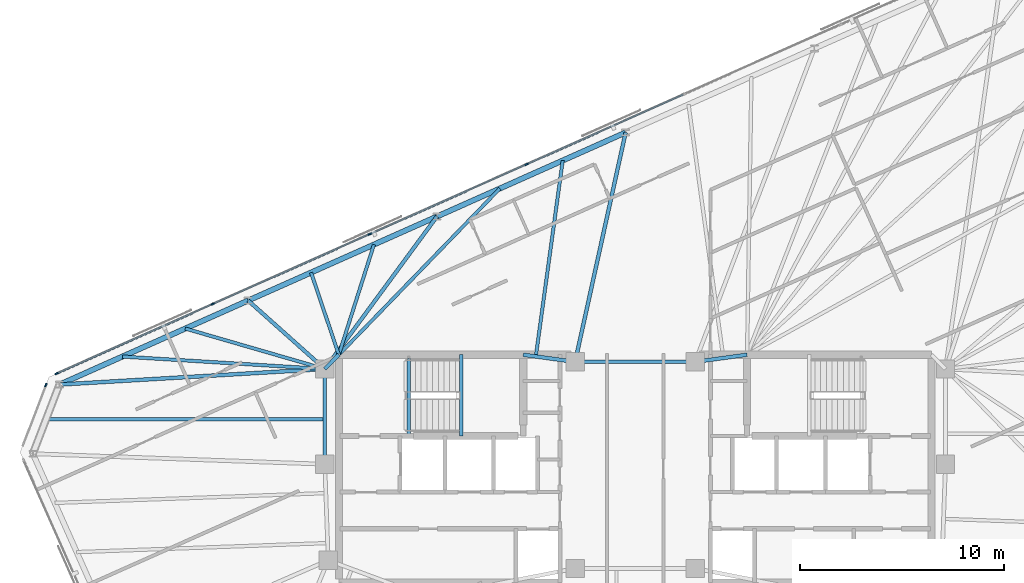
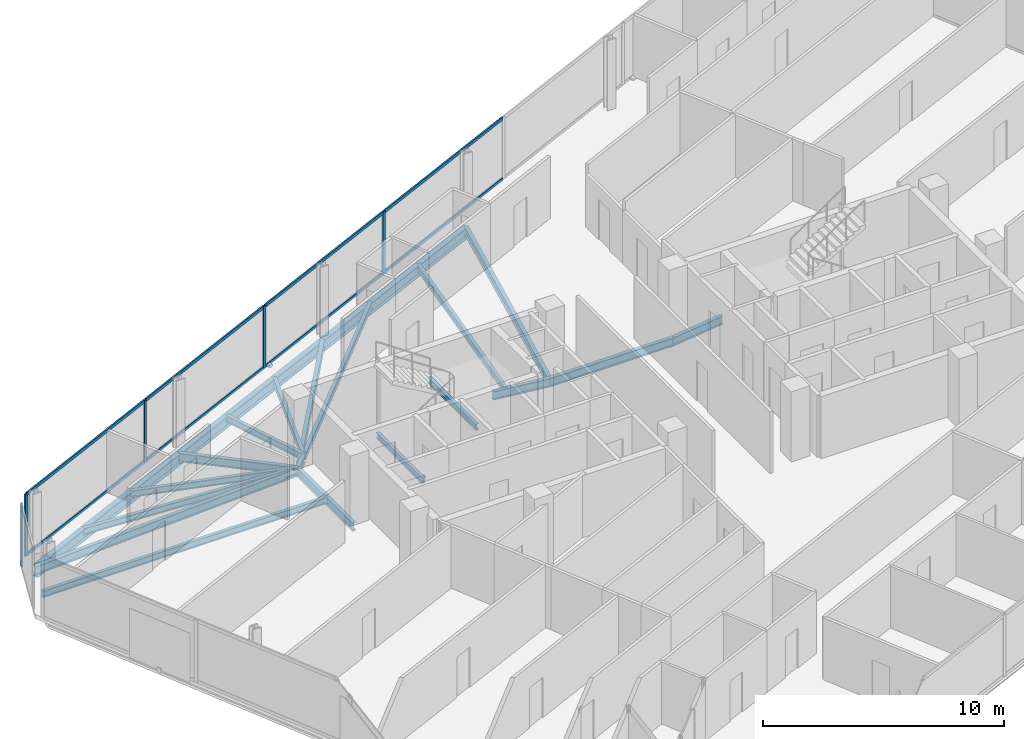
# One storey, part 9 of 19: 21 beams, 13 members, 2 elements without a shape of their own.
"""IFC4 building model written with IfcOpenShell, lengths in metres."""

from ifc_helpers import new_model, si_unit, direction, frame, origin, origin_2d, place, context, subcontext, project, spatial, rectangle, i_section, extrude, material, material_profile, profile_set, type_object, element, aggregate, save


model = new_model("IFC4")

# Units and contexts
model_context = context("Model", 3, precision=1e-05, world=origin(), true_north=direction((0.0, 1.0)))
body_context = subcontext(model_context, "Body", "Model", "MODEL_VIEW")
ifc_project = project(units=[si_unit("LENGTHUNIT", "METRE"), si_unit("AREAUNIT", "SQUARE_METRE"), si_unit("VOLUMEUNIT", "CUBIC_METRE"), si_unit("PLANEANGLEUNIT", "RADIAN"), si_unit("MASSUNIT", "GRAM", prefix="KILO")], contexts=[model_context])

# Site, building, storey
site_placement = place(None, origin())
site = spatial("IfcSite", under=ifc_project, at=site_placement, CompositionType="ELEMENT")
building_placement = place(site_placement, origin())
building = spatial("IfcBuilding", under=site, at=building_placement, Name="Menara Jurai Vektor", CompositionType="ELEMENT")
storey_placement = place(building_placement, frame((0.0, 0.0, 302.0)))
storey = spatial("IfcBuildingStorey", under=building, at=storey_placement, Name="L81", CompositionType="ELEMENT", Elevation=302.0)

# Curtain wall, members
ifc_material_1 = material(Name="Anodised Pale Aluminium & Low-E Double Glazing", Category="aluminium")
curtain_wall_type = type_object("IfcCurtainWallType", Name="CW-BLK5", PredefinedType="NOTDEFINED", material=ifc_material_1)
curtain_wall_1_placement = place(storey_placement, origin())
curtain_wall_1 = element("IfcCurtainWall", 1, at=curtain_wall_1_placement, inside=storey, type_object=curtain_wall_type, Name="Unitised Curtain Wall L81 F05", PredefinedType="NOTDEFINED")
ifc_material_2 = material(Name="Anodised Pale Aluminium Mullion", Category="aluminium")
ifc_material_profile_1 = material_profile(ifc_material_2, rectangle(XDim=0.074951171875, YDim=0.175048828125, at=origin_2d()), Name="ALU MUL 75x175")
ifc_profile_set_1 = profile_set([ifc_material_profile_1], Name="Anodised Pale Aluminium Mullion")
member_type_1 = type_object("IfcMemberType", Name="CW-BLK5-MUL", PredefinedType="MULLION", material=ifc_profile_set_1)
member_1_placement = place(storey_placement, frame((-5.327880859375, 14.957275390625, 0.0), z_axis=(0.0, 0.0, 1.0), x_axis=(0.406735498684, -0.913545967158, 0.0)))
member_1 = element("IfcMember", 2, at=member_1_placement, type_object=member_type_1, Name="CW-05 mullion 4", PredefinedType="MULLION", context=body_context, shape_type="SweptSolid", body=[
    extrude(rectangle(XDim=0.074951171875, YDim=0.175048828125, at=origin_2d()), origin(), (0.0, 0.0, 1.0), 3.14501953125),
])
member_2_placement = place(storey_placement, frame((-13.038330078125, 11.5244140625, 0.0), z_axis=(0.0, 0.0, 1.0), x_axis=(0.406735498684, -0.913545967158, 0.0)))
member_2 = element("IfcMember", 3, at=member_2_placement, type_object=member_type_1, Name="CW-05 mullion 5", PredefinedType="MULLION", context=body_context, shape_type="SweptSolid", body=[
    extrude(rectangle(XDim=0.074951171875, YDim=0.175048828125, at=origin_2d()), origin(), (0.0, 0.0, 1.0), 3.14501953125),
])
member_3_placement = place(storey_placement, frame((-20.748779296875, 8.091552734375, 0.0), z_axis=(0.0, 0.0, 1.0), x_axis=(0.406735498684, -0.913545967158, 0.0)))
member_3 = element("IfcMember", 4, at=member_3_placement, type_object=member_type_1, Name="CW-05 mullion 6", PredefinedType="MULLION", context=body_context, shape_type="SweptSolid", body=[
    extrude(rectangle(XDim=0.074951171875, YDim=0.175048828125, at=origin_2d()), origin(), (0.0, 0.0, 1.0), 3.14501953125),
])
member_4_placement = place(storey_placement, frame((-28.4248046875, 4.674072265625, 0.0), z_axis=(0.0, 0.0, 1.0), x_axis=(0.406735498684, -0.913545967158, 0.0)))
member_4 = element("IfcMember", 5, at=member_4_placement, type_object=member_type_1, Name="CW-05 mullion 7", PredefinedType="MULLION", context=body_context, shape_type="SweptSolid", body=[
    extrude(rectangle(XDim=0.074951171875, YDim=0.175048828125, at=origin_2d()), origin(), (0.0, 0.0, 1.0), 3.14501953125),
])

# Curtain wall, member
curtain_wall_2_placement = place(storey_placement, origin())
curtain_wall_2 = element("IfcCurtainWall", 6, at=curtain_wall_2_placement, inside=storey, type_object=curtain_wall_type, Name="Unitised Curtain Wall L81 F06", PredefinedType="NOTDEFINED")
member_5_placement = place(storey_placement, frame((-28.955810546875, 4.114501953125, 0.0), z_axis=(0.0, 0.0, 1.0), x_axis=(0.933578193639, -0.358373766287, 0.0)))
member_5 = element("IfcMember", 7, at=member_5_placement, type_object=member_type_1, Name="CW-05 mullion 1", PredefinedType="MULLION", context=body_context, shape_type="SweptSolid", body=[
    extrude(rectangle(XDim=0.074951171875, YDim=0.175048828125, at=origin_2d()), origin(), (0.0, 0.0, 1.0), 3.14501953125),
])
aggregate(curtain_wall_2, [member_5])

# Member
ifc_material_3 = material(Name="Anodised Pale Aluminium Transom", Category="aluminium")
ifc_material_profile_2 = material_profile(ifc_material_3, rectangle(XDim=0.074951171875, YDim=0.155029296875, at=origin_2d()), Name="ALU TRN 75x155")
ifc_profile_set_2 = profile_set([ifc_material_profile_2], Name="Anodised Pale Aluminium Transom")
member_type_2 = type_object("IfcMemberType", Name="CW-BLK5-TRN", PredefinedType="USERDEFINED", material=ifc_profile_set_2)
member_6_placement = place(storey_placement, frame((2.34814453125, 18.375, 0.03759765625), z_axis=(-0.913546575494, -0.406734132331, 0.0), x_axis=(0.406734132331, -0.913546575494, 0.0)))
member_6 = element("IfcMember", 8, at=member_6_placement, type_object=member_type_2, Name="CW-05 transom 3.1", ObjectType="TRANSOM", PredefinedType="USERDEFINED", context=body_context, shape_type="SweptSolid", body=[
    extrude(rectangle(XDim=0.074951171875, YDim=0.155029296875, at=origin_2d()), origin(), (0.0, 0.0, 1.0), 8.364990234375),
])

member_7_placement = place(storey_placement, frame((2.34814453125, 18.375, 3.107421875), z_axis=(-0.913546575494, -0.406734132331, 0.0), x_axis=(0.406734132331, -0.913546575494, 0.0)))
member_7 = element("IfcMember", 9, at=member_7_placement, type_object=member_type_2, Name="CW-05 transom 3.2", ObjectType="TRANSOM", PredefinedType="USERDEFINED", context=body_context, shape_type="SweptSolid", body=[
    extrude(rectangle(XDim=0.074951171875, YDim=0.155029296875, at=origin_2d()), origin(), (0.0, 0.0, 1.0), 8.364990234375),
])

member_8_placement = place(storey_placement, frame((-5.3623046875, 14.942138671875, 0.03759765625), z_axis=(-0.913546575494, -0.406734132331, 0.0), x_axis=(0.406734132331, -0.913546575494, 0.0)))
member_8 = element("IfcMember", 10, at=member_8_placement, type_object=member_type_2, Name="CW-05 transom 4.1", ObjectType="TRANSOM", PredefinedType="USERDEFINED", context=body_context, shape_type="SweptSolid", body=[
    extrude(rectangle(XDim=0.074951171875, YDim=0.155029296875, at=origin_2d()), origin(), (0.0, 0.0, 1.0), 8.364990234375),
])

member_9_placement = place(storey_placement, frame((-5.3623046875, 14.942138671875, 3.107421875), z_axis=(-0.913546575494, -0.406734132331, 0.0), x_axis=(0.406734132331, -0.913546575494, 0.0)))
member_9 = element("IfcMember", 11, at=member_9_placement, type_object=member_type_2, Name="CW-05 transom 4.2", ObjectType="TRANSOM", PredefinedType="USERDEFINED", context=body_context, shape_type="SweptSolid", body=[
    extrude(rectangle(XDim=0.074951171875, YDim=0.155029296875, at=origin_2d()), origin(), (0.0, 0.0, 1.0), 8.364990234375),
])

member_10_placement = place(storey_placement, frame((-13.072509765625, 11.50927734375, 0.03759765625), z_axis=(-0.913546575494, -0.406734132331, 0.0), x_axis=(0.406734132331, -0.913546575494, 0.0)))
member_10 = element("IfcMember", 12, at=member_10_placement, type_object=member_type_2, Name="CW-05 transom 5.1", ObjectType="TRANSOM", PredefinedType="USERDEFINED", context=body_context, shape_type="SweptSolid", body=[
    extrude(rectangle(XDim=0.074951171875, YDim=0.155029296875, at=origin_2d()), origin(), (0.0, 0.0, 1.0), 8.364990234375),
])

member_11_placement = place(storey_placement, frame((-13.072509765625, 11.50927734375, 3.107421875), z_axis=(-0.913546575494, -0.406734132331, 0.0), x_axis=(0.406734132331, -0.913546575494, 0.0)))
member_11 = element("IfcMember", 13, at=member_11_placement, type_object=member_type_2, Name="CW-05 transom 5.2", ObjectType="TRANSOM", PredefinedType="USERDEFINED", context=body_context, shape_type="SweptSolid", body=[
    extrude(rectangle(XDim=0.074951171875, YDim=0.155029296875, at=origin_2d()), origin(), (0.0, 0.0, 1.0), 8.364990234375),
])

member_12_placement = place(storey_placement, frame((-20.782958984375, 8.076416015625, 0.03759765625), z_axis=(-0.91353811338, -0.406753138159, 0.0), x_axis=(0.406753138159, -0.91353811338, 0.0)))
member_12 = element("IfcMember", 14, at=member_12_placement, type_object=member_type_2, Name="CW-05 transom 6.1", ObjectType="TRANSOM", PredefinedType="USERDEFINED", context=body_context, shape_type="SweptSolid", body=[
    extrude(rectangle(XDim=0.074951171875, YDim=0.155029296875, at=origin_2d()), origin(), (0.0, 0.0, 1.0), 8.327392578125),
])

member_13_placement = place(storey_placement, frame((-20.782958984375, 8.076416015625, 3.107421875), z_axis=(-0.91353811338, -0.406753138159, 0.0), x_axis=(0.406753138159, -0.91353811338, 0.0)))
member_13 = element("IfcMember", 15, at=member_13_placement, type_object=member_type_2, Name="CW-05 transom 6.2", ObjectType="TRANSOM", PredefinedType="USERDEFINED", context=body_context, shape_type="SweptSolid", body=[
    extrude(rectangle(XDim=0.074951171875, YDim=0.155029296875, at=origin_2d()), origin(), (0.0, 0.0, 1.0), 8.327392578125),
])

aggregate(curtain_wall_1, [member_1, member_2, member_3, member_4, member_6, member_7, member_8, member_9, member_10, member_11, member_12, member_13])

# Beams
ifc_material_4 = material(Name="Steel S355", Category="steel")
ifc_material_profile_3 = material_profile(ifc_material_4, i_section(OverallWidth=0.18505859375, OverallDepth=0.429931640625, WebThickness=0.010986328125, FlangeThickness=0.01806640625, at=origin_2d()), Name="PG 430x185x76")
ifc_profile_set_3 = profile_set([ifc_material_profile_3], Name="Steel S355")
beam_type_1 = type_object("IfcBeamType", Name="STR-BM-430", PredefinedType="BEAM", material=ifc_profile_set_3)
beam_1_placement = place(storey_placement, frame((-15.25, 4.89990234375, -0.43994140625), z_axis=(0.701871936926, 0.712303154672, 0.0), x_axis=(-0.712303154672, 0.701871936926, 0.0)))
element("IfcBeam", 16, at=beam_1_placement, inside=storey, type_object=beam_type_1, Name="Core Ring Header Girder L81-CHW-N1", PredefinedType="BEAM", context=body_context, shape_type="SweptSolid", body=[
    extrude(i_section(OverallWidth=0.18505859375, OverallDepth=0.429931640625, WebThickness=0.010986328125, FlangeThickness=0.01806640625, at=origin_2d()), origin(), (0.0, 0.0, 1.0), 0.98291015625),
])
beam_2_placement = place(storey_placement, frame((-5.5, 5.60009765625, -0.43994140625), z_axis=(0.990706818608, -0.136014703483, 0.0), x_axis=(0.136014703483, 0.990706818608, 0.0)))
element("IfcBeam", 17, at=beam_2_placement, inside=storey, type_object=beam_type_1, Name="Core Ring Header Girder L81-CHW-N2", PredefinedType="BEAM", context=body_context, shape_type="SweptSolid", body=[
    extrude(i_section(OverallWidth=0.18505859375, OverallDepth=0.429931640625, WebThickness=0.010986328125, FlangeThickness=0.01806640625, at=origin_2d()), origin(), (0.0, 0.0, 1.0), 2.573974609375),
])
beam_3_placement = place(storey_placement, frame((-15.25, 0.219970703125, -0.43994140625), z_axis=(0.0, 1.0, 0.0), x_axis=(-1.0, 0.0, 0.0)))
element("IfcBeam", 18, at=beam_3_placement, inside=storey, type_object=beam_type_1, Name="Core Ring Header Girder L81-CHW-W1", PredefinedType="BEAM", context=body_context, shape_type="SweptSolid", body=[
    extrude(i_section(OverallWidth=0.18505859375, OverallDepth=0.429931640625, WebThickness=0.010986328125, FlangeThickness=0.01806640625, at=origin_2d()), origin(), (0.0, 0.0, 1.0), 4.679931640625),
])
beam_4_placement = place(storey_placement, frame((2.949951171875, 5.25, -0.43994140625), z_axis=(0.990706818608, 0.136014703483, 0.0), x_axis=(-0.136014703483, 0.990706818608, 0.0)))
element("IfcBeam", 19, at=beam_4_placement, inside=storey, type_object=beam_type_1, Name="Core Ring Header Girder L81-CHE-N1", PredefinedType="BEAM", context=body_context, shape_type="SweptSolid", body=[
    extrude(i_section(OverallWidth=0.18505859375, OverallDepth=0.429931640625, WebThickness=0.010986328125, FlangeThickness=0.01806640625, at=origin_2d()), origin(), (0.0, 0.0, 1.0), 2.573974609375),
])
beam_5_placement = place(storey_placement, frame((-2.949951171875, 5.25, -0.43994140625), z_axis=(1.0, 0.0, 0.0), x_axis=(0.0, 1.0, 0.0)))
element("IfcBeam", 20, at=beam_5_placement, inside=storey, type_object=beam_type_1, Name="Core Ring Header Girder L81-CC-2", PredefinedType="BEAM", context=body_context, shape_type="SweptSolid", body=[
    extrude(i_section(OverallWidth=0.18505859375, OverallDepth=0.429931640625, WebThickness=0.010986328125, FlangeThickness=0.01806640625, at=origin_2d()), origin(), (0.0, 0.0, 1.0), 5.89990234375),
])
beam_6_placement = place(storey_placement, frame((-0.467529296875, 16.519287109375, -0.43994140625), z_axis=(-0.215124522255, -0.976586626943, 0.0), x_axis=(0.976586626943, -0.215124522255, 0.0)))
element("IfcBeam", 21, at=beam_6_placement, inside=storey, type_object=beam_type_1, Name="Radial Floor Girder L81-N3", PredefinedType="BEAM", context=body_context, shape_type="SweptSolid", body=[
    extrude(i_section(OverallWidth=0.18505859375, OverallDepth=0.429931640625, WebThickness=0.010986328125, FlangeThickness=0.01806640625, at=origin_2d()), origin(), (0.0, 0.0, 1.0), 11.53955078125),
])
beam_7_placement = place(storey_placement, frame((-9.740966796875, 12.390380859375, -0.43994140625), z_axis=(-0.592483178081, -0.805582822366, 0.0), x_axis=(0.805582822366, -0.592483178081, 0.0)))
element("IfcBeam", 22, at=beam_7_placement, inside=storey, type_object=beam_type_1, Name="Radial Floor Girder L81-N4", PredefinedType="BEAM", context=body_context, shape_type="SweptSolid", body=[
    extrude(i_section(OverallWidth=0.18505859375, OverallDepth=0.429931640625, WebThickness=0.010986328125, FlangeThickness=0.01806640625, at=origin_2d()), origin(), (0.0, 0.0, 1.0), 9.298095703125),
])
beam_8_placement = place(storey_placement, frame((-19.0146484375, 8.26171875, -0.43994140625), z_axis=(0.745886163995, -0.666073442167, 0.0), x_axis=(0.666073442167, 0.745886163995, 0.0)))
element("IfcBeam", 23, at=beam_8_placement, inside=storey, type_object=beam_type_1, Name="Radial Floor Girder L81-N5", PredefinedType="BEAM", context=body_context, shape_type="SweptSolid", body=[
    extrude(i_section(OverallWidth=0.18505859375, OverallDepth=0.429931640625, WebThickness=0.010986328125, FlangeThickness=0.01806640625, at=origin_2d()), origin(), (0.0, 0.0, 1.0), 5.047119140625),
])
beam_9_placement = place(storey_placement, frame((-28.2880859375, 4.1328125, -0.43994140625), z_axis=(0.998273728533, 0.058732979834, 0.0), x_axis=(-0.058732979834, 0.998273728533, 0.0)))
element("IfcBeam", 24, at=beam_9_placement, inside=storey, type_object=beam_type_1, Name="Radial Floor Girder L81-N6", PredefinedType="BEAM", context=body_context, shape_type="SweptSolid", body=[
    extrude(i_section(OverallWidth=0.18505859375, OverallDepth=0.429931640625, WebThickness=0.010986328125, FlangeThickness=0.01806640625, at=origin_2d()), origin(), (0.0, 0.0, 1.0), 13.060546875),
])
ifc_material_profile_4 = material_profile(ifc_material_4, i_section(OverallWidth=0.1650390625, OverallDepth=0.330078125, WebThickness=0.009033203125, FlangeThickness=0.013916015625, at=origin_2d()), Name="PG 330x165x46")
ifc_profile_set_4 = profile_set([ifc_material_profile_4], Name="Steel S355")
beam_type_2 = type_object("IfcBeamType", Name="STR-JS-330", PredefinedType="JOIST", material=ifc_profile_set_4)
beam_10_placement = place(storey_placement, frame((-3.55859375, 15.14306640625, -0.389892578125), z_axis=(-0.135981954601, -0.990711314169, 0.0), x_axis=(0.990711314169, -0.135981954601, 0.0)))
element("IfcBeam", 25, at=beam_10_placement, inside=storey, type_object=beam_type_2, Name="Radial Secondary Floor Joist L81-JS19", PredefinedType="JOIST", context=body_context, shape_type="SweptSolid", body=[
    extrude(i_section(OverallWidth=0.1650390625, OverallDepth=0.330078125, WebThickness=0.009033203125, FlangeThickness=0.013916015625, at=origin_2d()), origin(), (0.0, 0.0, 1.0), 9.718505859375),
])
beam_11_placement = place(storey_placement, frame((-6.64990234375, 13.766845703125, -0.389892578125), z_axis=(-0.695732556791, -0.718300918433, 0.0), x_axis=(0.718300918433, -0.695732556791, 0.0)))
element("IfcBeam", 26, at=beam_11_placement, inside=storey, type_object=beam_type_2, Name="Radial Secondary Floor Joist L81-JS20", PredefinedType="JOIST", context=body_context, shape_type="SweptSolid", body=[
    extrude(i_section(OverallWidth=0.1650390625, OverallDepth=0.330078125, WebThickness=0.009033203125, FlangeThickness=0.013916015625, at=origin_2d()), origin(), (0.0, 0.0, 1.0), 11.36962890625),
])
beam_12_placement = place(storey_placement, frame((-12.832275390625, 11.01416015625, -0.389892578125), z_axis=(-0.304022753529, -0.952664770702, 0.0), x_axis=(0.952664770702, -0.304022753529, 0.0)))
element("IfcBeam", 27, at=beam_12_placement, inside=storey, type_object=beam_type_2, Name="Radial Secondary Floor Joist L81-JS21", PredefinedType="JOIST", context=body_context, shape_type="SweptSolid", body=[
    extrude(i_section(OverallWidth=0.1650390625, OverallDepth=0.330078125, WebThickness=0.009033203125, FlangeThickness=0.013916015625, at=origin_2d()), origin(), (0.0, 0.0, 1.0), 5.68310546875),
])
beam_13_placement = place(storey_placement, frame((-15.92333984375, 9.637939453125, -0.389892578125), z_axis=(0.319885998438, -0.947456040143, 0.0), x_axis=(0.947456040143, 0.319885998438, 0.0)))
element("IfcBeam", 28, at=beam_13_placement, inside=storey, type_object=beam_type_2, Name="Radial Secondary Floor Joist L81-JS22", PredefinedType="JOIST", context=body_context, shape_type="SweptSolid", body=[
    extrude(i_section(OverallWidth=0.1650390625, OverallDepth=0.330078125, WebThickness=0.009033203125, FlangeThickness=0.013916015625, at=origin_2d()), origin(), (0.0, 0.0, 1.0), 4.26171875),
])
beam_14_placement = place(storey_placement, frame((-22.105712890625, 6.885498046875, -0.389892578125), z_axis=(0.960525066064, -0.278193453306, 0.0), x_axis=(0.278193453306, 0.960525066064, 0.0)))
element("IfcBeam", 29, at=beam_14_placement, inside=storey, type_object=beam_type_2, Name="Radial Secondary Floor Joist L81-JS23", PredefinedType="JOIST", context=body_context, shape_type="SweptSolid", body=[
    extrude(i_section(OverallWidth=0.1650390625, OverallDepth=0.330078125, WebThickness=0.009033203125, FlangeThickness=0.013916015625, at=origin_2d()), origin(), (0.0, 0.0, 1.0), 7.137451171875),
])
beam_15_placement = place(storey_placement, frame((-25.197021484375, 5.509033203125, -0.389892578125), z_axis=(0.998130240593, -0.061123013776, 0.0), x_axis=(0.061123013776, 0.998130240593, 0.0)))
element("IfcBeam", 30, at=beam_15_placement, inside=storey, type_object=beam_type_2, Name="Radial Secondary Floor Joist L81-JS24", PredefinedType="JOIST", context=body_context, shape_type="SweptSolid", body=[
    extrude(i_section(OverallWidth=0.1650390625, OverallDepth=0.330078125, WebThickness=0.009033203125, FlangeThickness=0.013916015625, at=origin_2d()), origin(), (0.0, 0.0, 1.0), 9.965576171875),
])
beam_16_placement = place(storey_placement, frame((-28.93994140625, 2.434814453125, -0.389892578125), z_axis=(1.0, 0.0, 0.0), x_axis=(0.0, 1.0, 0.0)))
element("IfcBeam", 31, at=beam_16_placement, inside=storey, type_object=beam_type_2, Name="Radial Secondary Floor Joist L81-JS25", PredefinedType="JOIST", context=body_context, shape_type="SweptSolid", body=[
    extrude(i_section(OverallWidth=0.1650390625, OverallDepth=0.330078125, WebThickness=0.009033203125, FlangeThickness=0.013916015625, at=origin_2d()), origin(), (0.0, 0.0, 1.0), 13.68994140625),
])
ifc_material_profile_5 = material_profile(ifc_material_4, i_section(OverallWidth=0.1650390625, OverallDepth=0.302978515625, WebThickness=0.006103515625, FlangeThickness=0.010009765625, FilletRadius=0.009033203125, at=origin_2d()), Name="UKB 305x165x40")
ifc_profile_set_5 = profile_set([ifc_material_profile_5], Name="Steel S355")
beam_type_3 = type_object("IfcBeamType", Name="STR-LN-305", PredefinedType="LINTEL", material=ifc_profile_set_5)
beam_17_placement = place(storey_placement, frame((-11.1201171875, 1.60009765625, -0.37646484375), z_axis=(0.0, 1.0, 0.0), x_axis=(-1.0, 0.0, 0.0)))
element("IfcBeam", 32, at=beam_17_placement, inside=storey, type_object=beam_type_3, Name="Stair Well Floor Trimmer ST1 L81", PredefinedType="LINTEL", context=body_context, shape_type="SweptSolid", body=[
    extrude(i_section(OverallWidth=0.1650390625, OverallDepth=0.302978515625, WebThickness=0.006103515625, FlangeThickness=0.010009765625, FilletRadius=0.009033203125, at=origin_2d()), origin(), (0.0, 0.0, 1.0), 3.81982421875),
])
beam_18_placement = place(storey_placement, frame((-8.550048828125, 1.60009765625, 1.423583984375), z_axis=(0.0, 1.0, 0.0), x_axis=(-1.0, 0.0, 0.0)))
element("IfcBeam", 33, at=beam_18_placement, inside=storey, type_object=beam_type_3, Name="Stair Half-Landing Nosing Trimmer ST1-1 L81", PredefinedType="LINTEL", context=body_context, shape_type="SweptSolid", body=[
    extrude(i_section(OverallWidth=0.1650390625, OverallDepth=0.302978515625, WebThickness=0.006103515625, FlangeThickness=0.010009765625, FilletRadius=0.009033203125, at=origin_2d()), origin(), (0.0, 0.0, 1.0), 4.0),
])
ifc_material_profile_6 = material_profile(ifc_material_4, i_section(OverallWidth=0.260009765625, OverallDepth=0.570068359375, WebThickness=0.013916015625, FlangeThickness=0.02392578125, at=origin_2d()), Name="PG 570x260x145")
ifc_profile_set_6 = profile_set([ifc_material_profile_6], Name="Steel S355")
beam_type_4 = type_object("IfcBeamType", Name="STR-SP-570", PredefinedType="SPANDREL", material=ifc_profile_set_6)
for number, where, z_axis, x_axis, name in (
    (34, (-0.467529296875, 16.519287109375, -0.510009765625), (-0.913541582548, -0.406745346568, 0.0), (0.406745346568, -0.913541582548, 0.0), "Exoskeleton Spandrel Beam L81-13"),
    (35, (-9.740966796875, 12.390380859375, -0.510009765625), (-0.913554497648, -0.406716338284, 0.0), (0.406716338284, -0.913554497648, 0.0), "Exoskeleton Spandrel Beam L81-14"),
    (36, (-19.0146484375, 8.26171875, -0.510009765625), (-0.913541582548, -0.406745346568, 0.0), (0.406745346568, -0.913541582548, 0.0), "Exoskeleton Spandrel Beam L81-15"),
):
    element("IfcBeam", number, at=place(storey_placement, frame(where, z_axis=z_axis, x_axis=x_axis)), inside=storey, type_object=beam_type_4, Name=name, PredefinedType="SPANDREL", context=body_context, shape_type="SweptSolid", body=[
        extrude(i_section(OverallWidth=0.260009765625, OverallDepth=0.570068359375, WebThickness=0.013916015625, FlangeThickness=0.02392578125, at=origin_2d()), origin(), (0.0, 0.0, 1.0), 10.151123046875),
    ])

save(model, "model.ifc")
